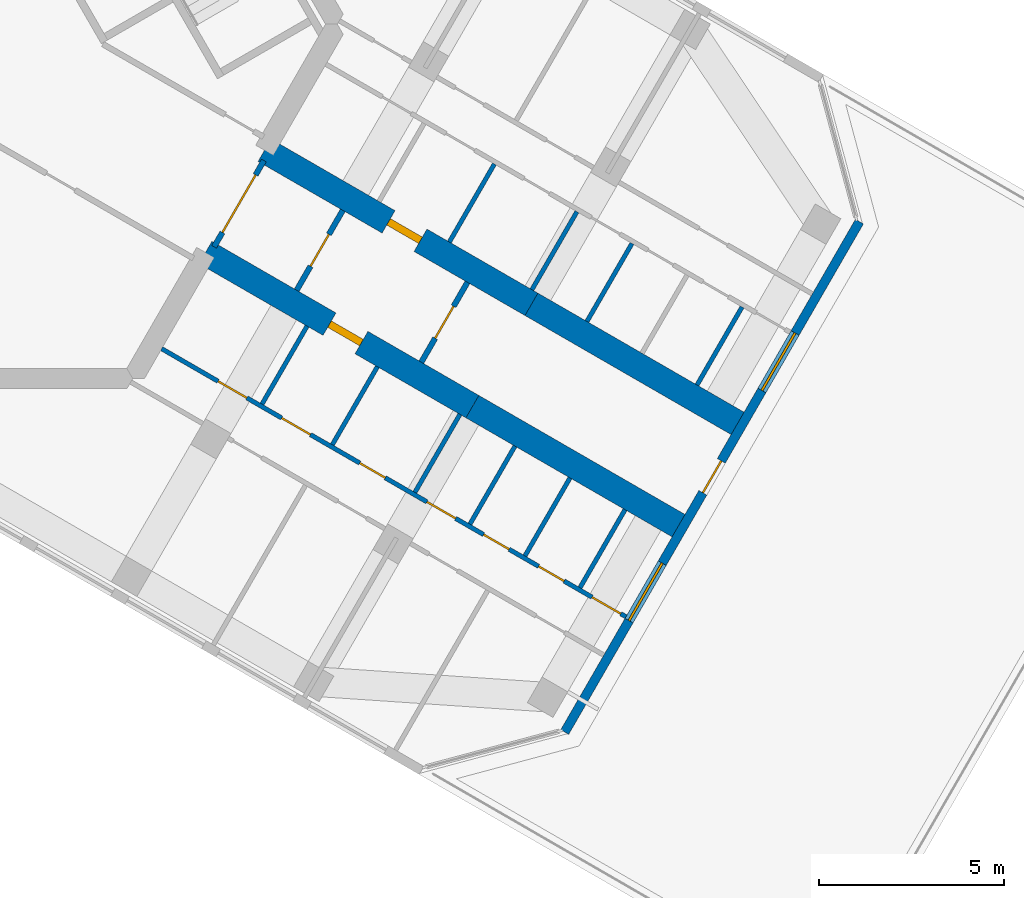
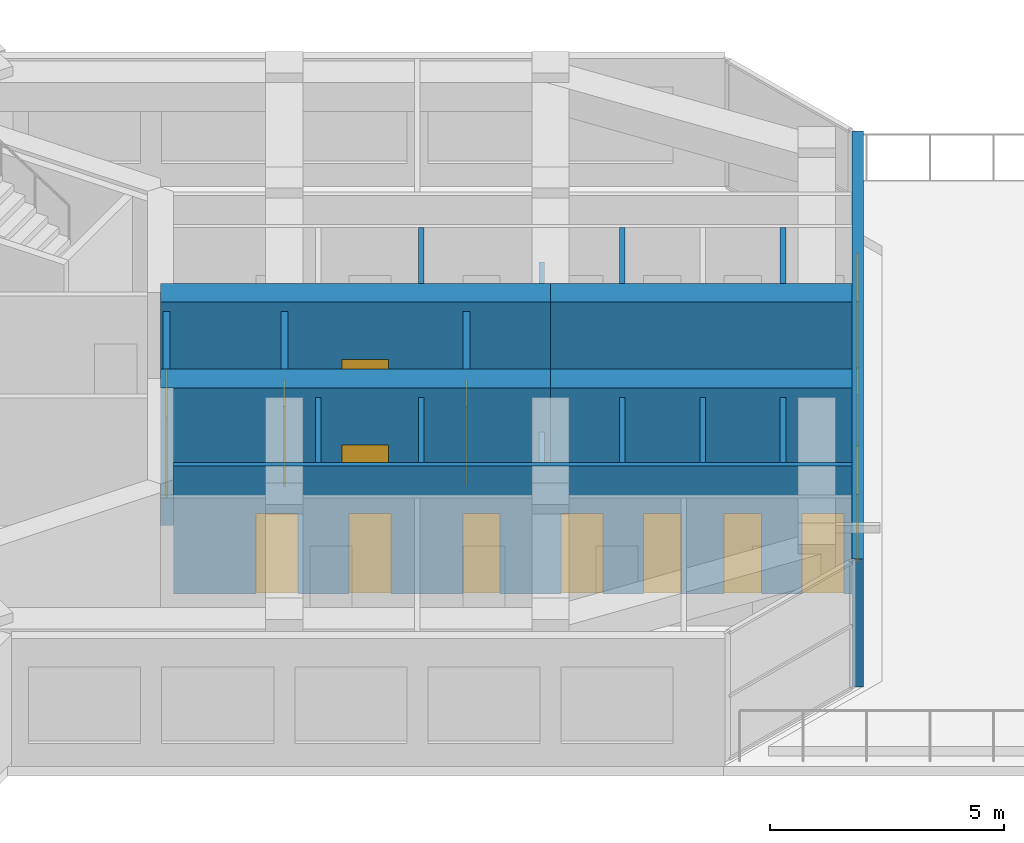
# One storey, part 10 of 14: 19 walls, 13 doors, 2 windows, 15 openings.
"""IFC4 building model written with IfcOpenShell, lengths in metres."""

from ifc_helpers import new_model, si_unit, direction, frame, frame_2d, origin, place, context, subcontext, project, spatial, rectangle, extrude, material, layer, layer_set, type_object, element, fill, save


model = new_model("IFC4")

# Units and contexts
model_context = context("Model", 3, precision=1e-05, world=origin(), true_north=direction((0.0, 1.0)))
body_context = subcontext(model_context, "Body", "Model", "MODEL_VIEW")
ifc_project = project(units=[si_unit("LENGTHUNIT", "METRE"), si_unit("AREAUNIT", "SQUARE_METRE"), si_unit("VOLUMEUNIT", "CUBIC_METRE"), si_unit("PLANEANGLEUNIT", "RADIAN"), si_unit("MASSUNIT", "GRAM", prefix="KILO")], contexts=[model_context])

# Site, building, storey
site_placement = place(None, origin())
site = spatial("IfcSite", under=ifc_project, at=site_placement, CompositionType="ELEMENT")
building_placement = place(site_placement, origin())
building = spatial("IfcBuilding", under=site, at=building_placement, Name="Kosmar Iwan School Tower", CompositionType="ELEMENT")
storey_placement = place(building_placement, frame((0.0, 0.0, 267.39990234375)))
storey = spatial("IfcBuildingStorey", under=building, at=storey_placement, Name="L67", CompositionType="ELEMENT", Elevation=267.39990234375)

# Wall, opening, door
ifc_material_1 = material(Name="Concrete C50/60", Category="concrete")
ifc_layer_1 = layer(ifc_material_1, 0.699951171875)
ifc_layer_set_1 = layer_set([ifc_layer_1], Name="Corridor buttress wall 700")
wall_type_1 = type_object("IfcWallType", Name="Corridor buttress wall 700", PredefinedType="SHEAR", material=ifc_layer_set_1)
wall_1_placement = place(storey_placement, frame((9.11376953125, -3.414306640625, 0.0), z_axis=(0.0, 0.0, 1.0), x_axis=(0.866026859388, -0.499997478812, 0.0)))
wall_1 = element("IfcWall", 1, at=wall_1_placement, inside=storey, type_object=wall_type_1, Name="Corridor wall CL", PredefinedType="SHEAR", context=body_context, shape_type="SweptSolid", body=[
    extrude(rectangle(XDim=8.35009765625, YDim=0.699951171875, at=frame_2d((4.175048828125, 0.0))), origin(), (0.0, 0.0, 1.0), 3.60009765625),
])
opening_1_placement = place(wall_1_placement, frame((3.8798828125, 0.0, 0.0)))
opening_1 = element("IfcOpeningElement", 2, at=opening_1_placement, cuts=wall_1, Name="Opening D1", PredefinedType="OPENING", context=body_context, shape_type="SweptSolid", body=[
    extrude(rectangle(XDim=1.0, YDim=2.10009765625, at=frame_2d((0.5, 1.050048828125))), frame((0.0, 0.362060546875, 0.0), z_axis=(0.0, -1.0, 0.0), x_axis=(1.0, 0.0, 0.0)), (0.0, 0.0, 1.0), 0.723876953125),
])
ifc_material_2 = material(Name="Timber fire door in steel frame", Category="steel")
door_type_1 = type_object("IfcDoorType", Name="Flat entrance door 1000x2100", OperationType="SINGLE_SWING_LEFT", PredefinedType="DOOR", material=ifc_material_2)
door_1_placement = place(opening_1_placement, origin())
door_1 = element("IfcDoor", 3, at=door_1_placement, inside=storey, type_object=door_type_1, Name="Flat L67-CL1 entrance door", OperationType="SINGLE_SWING_LEFT", OverallHeight=2.10009765625, OverallWidth=1.0, PredefinedType="DOOR", context=body_context, shape_type="SweptSolid", body=[
    extrude(rectangle(XDim=1.0, YDim=2.10009765625, at=frame_2d((0.5, 1.050048828125))), frame((0.0, 0.10009765625, 0.0), z_axis=(0.0, -1.0, 0.0), x_axis=(1.0, 0.0, 0.0)), (0.0, 0.0, 1.0), 0.199951171875),
])
fill(opening_1, door_1)

# Wall
wall_2_placement = place(storey_placement, frame((16.34521484375, -7.58935546875, 0.0), z_axis=(0.0, 0.0, 1.0), x_axis=(0.866012238917, -0.500022801525, 0.0)))
element("IfcWall", 4, at=wall_2_placement, inside=storey, type_object=wall_type_1, Name="Corridor wall CL bay 2", PredefinedType="SHEAR", context=body_context, shape_type="SweptSolid", body=[
    extrude(rectangle(XDim=6.449951171875, YDim=0.699951171875, at=frame_2d((3.22509765625, 0.0))), origin(), (0.0, 0.0, 1.0), 3.60009765625),
])

# Wall, opening, door
wall_3_placement = place(storey_placement, frame((7.513916015625, -6.185546875, 0.0), z_axis=(0.0, 0.0, 1.0), x_axis=(0.866019549707, -0.500010139422, 0.0)))
wall_3 = element("IfcWall", 5, at=wall_3_placement, inside=storey, type_object=wall_type_1, Name="Corridor wall CR", PredefinedType="SHEAR", context=body_context, shape_type="SweptSolid", body=[
    extrude(rectangle(XDim=8.349853515625, YDim=0.699951171875, at=frame_2d((4.1748046875, 0.0))), origin(), (0.0, 0.0, 1.0), 3.60009765625),
])
opening_2_placement = place(wall_3_placement, frame((3.8798828125, 0.0, 0.0)))
opening_2 = element("IfcOpeningElement", 6, at=opening_2_placement, cuts=wall_3, Name="Opening D1", PredefinedType="OPENING", context=body_context, shape_type="SweptSolid", body=[
    extrude(rectangle(XDim=1.0, YDim=2.10009765625, at=frame_2d((0.5, 1.050048828125))), frame((0.0, 0.362060546875, 0.0), z_axis=(0.0, -1.0, 0.0), x_axis=(1.0, 0.0, 0.0)), (0.0, 0.0, 1.0), 0.723876953125),
])
door_2_placement = place(opening_2_placement, origin())
door_2 = element("IfcDoor", 7, at=door_2_placement, inside=storey, type_object=door_type_1, Name="Flat L67-CR1 entrance door", OperationType="SINGLE_SWING_LEFT", OverallHeight=2.10009765625, OverallWidth=1.0, PredefinedType="DOOR", context=body_context, shape_type="SweptSolid", body=[
    extrude(rectangle(XDim=1.0, YDim=2.10009765625, at=frame_2d((0.5, 1.050048828125))), frame((0.0, 0.10009765625, 0.0), z_axis=(0.0, -1.0, 0.0), x_axis=(1.0, 0.0, 0.0)), (0.0, 0.0, 1.0), 0.199951171875),
])
fill(opening_2, door_2)

# Wall
wall_4_placement = place(storey_placement, frame((14.7451171875, -10.360595703125, 0.0), z_axis=(0.0, 0.0, 1.0), x_axis=(0.866021702275, -0.500006411147, 0.0)))
element("IfcWall", 8, at=wall_4_placement, inside=storey, type_object=wall_type_1, Name="Corridor wall CR bay 2", PredefinedType="SHEAR", context=body_context, shape_type="SweptSolid", body=[
    extrude(rectangle(XDim=6.4501953125, YDim=0.699951171875, at=frame_2d((3.22509765625, 0.0))), origin(), (0.0, 0.0, 1.0), 3.60009765625),
])

# Wall, opening, door
ifc_material_3 = material(Name="Gypsum board on steel studs, fire-rated", Category="steel")
ifc_layer_2 = layer(ifc_material_3, 0.14990234375)
ifc_layer_set_2 = layer_set([ifc_layer_2], Name="Corridor end wall 150")
wall_type_2 = type_object("IfcWallType", Name="Corridor end wall 150", PredefinedType="PARTITIONING", material=ifc_layer_set_2)
wall_5_placement = place(storey_placement, frame((13.361328125, -9.157470703125, 0.0), z_axis=(0.0, 0.0, 1.0), x_axis=(0.500004234368, 0.866022959057, 0.0)))
wall_5 = element("IfcWall", 9, at=wall_5_placement, inside=storey, type_object=wall_type_2, Name="Partition L67-C-CE", PredefinedType="PARTITIONING", context=body_context, shape_type="SweptSolid", body=[
    extrude(rectangle(XDim=2.5, YDim=0.14990234375, at=frame_2d((1.25, 0.0))), origin(), (0.0, 0.0, 1.0), 3.35009765625),
])
opening_3_placement = place(wall_5_placement, frame((0.75, 0.0, 0.0)))
opening_3 = element("IfcOpeningElement", 10, at=opening_3_placement, cuts=wall_5, Name="Opening D13", PredefinedType="OPENING", context=body_context, shape_type="SweptSolid", body=[
    extrude(rectangle(XDim=1.0, YDim=2.10009765625, at=frame_2d((0.5, 1.050048828125))), frame((0.0, 0.0869140625, 0.0), z_axis=(0.0, -1.0, 0.0), x_axis=(1.0, 0.0, 0.0)), (0.0, 0.0, 1.0), 0.173828125),
])
ifc_material_4 = material(Name="Timber fire door with vision panel", Category="wood")
door_type_2 = type_object("IfcDoorType", Name="Corridor end door 1000x2100", OperationType="SINGLE_SWING_LEFT", PredefinedType="DOOR", material=ifc_material_4)
door_3_placement = place(opening_3_placement, origin())
door_3 = element("IfcDoor", 11, at=door_3_placement, inside=storey, type_object=door_type_2, Name="Roof plant room door L67-C", OperationType="SINGLE_SWING_RIGHT", OverallHeight=2.10009765625, OverallWidth=1.0, PredefinedType="DOOR", context=body_context, shape_type="SweptSolid", body=[
    extrude(rectangle(XDim=1.0, YDim=2.10009765625, at=frame_2d((0.5, 1.050048828125))), frame((0.0, 0.02490234375, 0.0), z_axis=(0.0, -1.0, 0.0), x_axis=(1.0, 0.0, 0.0)), (0.0, 0.0, 1.0), 0.050048828125),
])
fill(opening_3, door_3)

wall_6_placement = place(storey_placement, frame((9.98388671875, -7.20751953125, 0.0), z_axis=(0.0, 0.0, 1.0), x_axis=(0.500004234368, 0.866022959057, 0.0)))
wall_6 = element("IfcWall", 12, at=wall_6_placement, inside=storey, type_object=wall_type_2, Name="Partition L67-C-HW", PredefinedType="PARTITIONING", context=body_context, shape_type="SweptSolid", body=[
    extrude(rectangle(XDim=2.5, YDim=0.14990234375, at=frame_2d((1.25, 0.0))), origin(), (0.0, 0.0, 1.0), 3.35009765625),
])
opening_4_placement = place(wall_6_placement, frame((0.75, 0.0, 0.0)))
opening_4 = element("IfcOpeningElement", 13, at=opening_4_placement, cuts=wall_6, Name="Opening D13", PredefinedType="OPENING", context=body_context, shape_type="SweptSolid", body=[
    extrude(rectangle(XDim=1.0, YDim=2.10009765625, at=frame_2d((0.5, 1.050048828125))), frame((0.0, 0.0869140625, 0.0), z_axis=(0.0, -1.0, 0.0), x_axis=(1.0, 0.0, 0.0)), (0.0, 0.0, 1.0), 0.173828125),
])
door_4_placement = place(opening_4_placement, origin())
door_4 = element("IfcDoor", 14, at=door_4_placement, inside=storey, type_object=door_type_2, Name="Entrance door L67-C", OperationType="SINGLE_SWING_LEFT", OverallHeight=2.10009765625, OverallWidth=1.0, PredefinedType="DOOR", context=body_context, shape_type="SweptSolid", body=[
    extrude(rectangle(XDim=1.0, YDim=2.10009765625, at=frame_2d((0.5, 1.050048828125))), frame((0.0, 0.02490234375, 0.0), z_axis=(0.0, -1.0, 0.0), x_axis=(1.0, 0.0, 0.0)), (0.0, 0.0, 1.0), 0.050048828125),
])
fill(opening_4, door_4)

ifc_material_5 = material(Name="Steel framed glazed screen", Category="steel")
ifc_layer_3 = layer(ifc_material_5, 0.14990234375)
ifc_layer_set_3 = layer_set([ifc_layer_3], Name="Corridor screen wall 150")
wall_type_3 = type_object("IfcWallType", Name="Corridor screen wall 150", PredefinedType="PARTITIONING", material=ifc_layer_set_3)
wall_7_placement = place(storey_placement, frame((7.7470703125, -6.03173828125, 0.0), z_axis=(0.0, 0.0, 1.0), x_axis=(0.50000943426, 0.866019956843, 0.0)))
wall_7 = element("IfcWall", 15, at=wall_7_placement, inside=storey, type_object=wall_type_3, Name="Corridor screen C L67", PredefinedType="PARTITIONING", context=body_context, shape_type="SweptSolid", body=[
    extrude(rectangle(XDim=2.7001953125, YDim=0.14990234375, at=frame_2d((1.35009765625, 0.0))), origin(), (0.0, 0.0, 1.0), 3.35009765625),
])
opening_5_placement = place(wall_7_placement, frame((0.449951171875, 0.0, 0.0)))
opening_5 = element("IfcOpeningElement", 16, at=opening_5_placement, cuts=wall_7, Name="Opening D9", PredefinedType="OPENING", context=body_context, shape_type="SweptSolid", body=[
    extrude(rectangle(XDim=1.800048828125, YDim=2.10009765625, at=frame_2d((0.89990234375, 1.050048828125))), frame((0.0, 0.0869140625, 0.0), z_axis=(0.0, -1.0, 0.0), x_axis=(1.0, 0.0, 0.0)), (0.0, 0.0, 1.0), 0.173828125),
])
ifc_material_6 = material(Name="Steel framed glazed smoke door", Category="steel")
door_type_3 = type_object("IfcDoorType", Name="Corridor smoke door pair 1800x2100", OperationType="DOUBLE_DOOR_DOUBLE_SWING", PredefinedType="DOOR", material=ifc_material_6)
door_5_placement = place(opening_5_placement, origin())
door_5 = element("IfcDoor", 17, at=door_5_placement, inside=storey, type_object=door_type_3, Name="Corridor doors C L67", OperationType="DOUBLE_DOOR_DOUBLE_SWING", OverallHeight=2.10009765625, OverallWidth=1.800048828125, PredefinedType="DOOR", context=body_context, shape_type="SweptSolid", body=[
    extrude(rectangle(XDim=1.800048828125, YDim=2.10009765625, at=frame_2d((0.89990234375, 1.050048828125))), frame((0.0, 0.02490234375, 0.0), z_axis=(0.0, -1.0, 0.0), x_axis=(1.0, 0.0, 0.0)), (0.0, 0.0, 1.0), 0.050048828125),
])
fill(opening_5, door_5)

# Walls
ifc_material_7 = material(Name="Gypsum board on steel studs", Category="steel")
ifc_layer_4 = layer(ifc_material_7, 0.1201171875)
ifc_layer_set_4 = layer_set([ifc_layer_4], Name="Dwelling partition 120")
wall_type_4 = type_object("IfcWallType", Name="Dwelling partition 120", PredefinedType="PARTITIONING", material=ifc_layer_set_4)
wall_8_placement = place(storey_placement, frame((14.121337890625, -5.9013671875, 0.0), z_axis=(0.0, 0.0, 1.0), x_axis=(0.499959183527, 0.866048967903, 0.0)))
element("IfcWall", 18, at=wall_8_placement, inside=storey, type_object=wall_type_4, Name="Partition L67-CL1-Y2", PredefinedType="PARTITIONING", context=body_context, shape_type="SweptSolid", body=[
    extrude(rectangle(XDim=2.440185546875, YDim=0.1201171875, at=frame_2d((1.22021484375, 0.0))), origin(), (0.0, 0.0, 1.0), 3.35009765625),
])
wall_9_placement = place(storey_placement, frame((16.35791015625, -7.192626953125, 0.0), z_axis=(0.0, 0.0, 1.0), x_axis=(0.500002508028, 0.866023955769, 0.0)))
element("IfcWall", 19, at=wall_9_placement, inside=storey, type_object=wall_type_4, Name="Partition L67-CL1-Y3", PredefinedType="PARTITIONING", context=body_context, shape_type="SweptSolid", body=[
    extrude(rectangle(XDim=2.43994140625, YDim=0.1201171875, at=frame_2d((1.219970703125, 0.0))), origin(), (0.0, 0.0, 1.0), 2.4501953125),
])
wall_10_placement = place(storey_placement, frame((17.84912109375, -8.053466796875, 0.0), z_axis=(0.0, 0.0, 1.0), x_axis=(0.500002508028, 0.866023955769, 0.0)))
element("IfcWall", 20, at=wall_10_placement, inside=storey, type_object=wall_type_4, Name="Partition L67-CL1-Y4", PredefinedType="PARTITIONING", context=body_context, shape_type="SweptSolid", body=[
    extrude(rectangle(XDim=2.43994140625, YDim=0.1201171875, at=frame_2d((1.219970703125, 0.0))), origin(), (0.0, 0.0, 1.0), 3.35009765625),
])
wall_11_placement = place(storey_placement, frame((20.831298828125, -9.775390625, 0.0), z_axis=(0.0, 0.0, 1.0), x_axis=(0.500034220881, 0.866005645448, 0.0)))
element("IfcWall", 21, at=wall_11_placement, inside=storey, type_object=wall_type_4, Name="Partition L67-CL1-Y6", PredefinedType="PARTITIONING", context=body_context, shape_type="SweptSolid", body=[
    extrude(rectangle(XDim=2.440185546875, YDim=0.1201171875, at=frame_2d((1.22021484375, 0.0))), origin(), (0.0, 0.0, 1.0), 3.35009765625),
])

# Wall, openings, doors
wall_12_placement = place(storey_placement, frame((6.326904296875, -8.791259765625, 0.0), z_axis=(0.0, 0.0, 1.0), x_axis=(0.866028280617, -0.499995017147, 0.0)))
wall_12 = element("IfcWall", 22, at=wall_12_placement, inside=storey, type_object=wall_type_4, Name="Partition L67-CR1-W1", PredefinedType="PARTITIONING", context=body_context, shape_type="SweptSolid", body=[
    extrude(rectangle(XDim=14.525146484375, YDim=0.1201171875, at=frame_2d((7.2626953125, 0.0))), origin(), (0.0, 0.0, 1.0), 3.35009765625),
])
opening_6_placement = place(wall_12_placement, frame((1.764892578125, 0.0, 0.0)))
opening_6 = element("IfcOpeningElement", 23, at=opening_6_placement, cuts=wall_12, Name="Opening D2", PredefinedType="OPENING", context=body_context, shape_type="SweptSolid", body=[
    extrude(rectangle(XDim=0.89990234375, YDim=2.10009765625, at=frame_2d((0.449951171875, 1.050048828125))), frame((0.0, 0.072021484375, 0.0), z_axis=(0.0, -1.0, 0.0), x_axis=(1.0, 0.0, 0.0)), (0.0, 0.0, 1.0), 0.14404296875),
])
opening_7_placement = place(wall_12_placement, frame((3.755126953125, 0.0, 0.0)))
opening_7 = element("IfcOpeningElement", 24, at=opening_7_placement, cuts=wall_12, Name="Opening D2", PredefinedType="OPENING", context=body_context, shape_type="SweptSolid", body=[
    extrude(rectangle(XDim=0.89990234375, YDim=2.10009765625, at=frame_2d((0.449951171875, 1.050048828125))), frame((0.0, 0.072021484375, 0.0), z_axis=(0.0, -1.0, 0.0), x_axis=(1.0, 0.0, 0.0)), (0.0, 0.0, 1.0), 0.14404296875),
])
opening_8_placement = place(wall_12_placement, frame((6.1962890625, 0.0, 0.0)))
opening_8 = element("IfcOpeningElement", 25, at=opening_8_placement, cuts=wall_12, Name="Opening D3", PredefinedType="OPENING", context=body_context, shape_type="SweptSolid", body=[
    extrude(rectangle(XDim=0.800048828125, YDim=2.10009765625, at=frame_2d((0.39990234375, 1.050048828125))), frame((0.0, 0.072021484375, 0.0), z_axis=(0.0, -1.0, 0.0), x_axis=(1.0, 0.0, 0.0)), (0.0, 0.0, 1.0), 0.14404296875),
])
opening_9_placement = place(wall_12_placement, frame((8.298583984375, 0.0, 0.0)))
opening_9 = element("IfcOpeningElement", 26, at=opening_9_placement, cuts=wall_12, Name="Opening D2", PredefinedType="OPENING", context=body_context, shape_type="SweptSolid", body=[
    extrude(rectangle(XDim=0.89990234375, YDim=2.10009765625, at=frame_2d((0.449951171875, 1.050048828125))), frame((0.0, 0.072021484375, 0.0), z_axis=(0.0, -1.0, 0.0), x_axis=(1.0, 0.0, 0.0)), (0.0, 0.0, 1.0), 0.14404296875),
])
opening_10_placement = place(wall_12_placement, frame((10.070556640625, 0.0, 0.0)))
opening_10 = element("IfcOpeningElement", 27, at=opening_10_placement, cuts=wall_12, Name="Opening D3", PredefinedType="OPENING", context=body_context, shape_type="SweptSolid", body=[
    extrude(rectangle(XDim=0.800048828125, YDim=2.10009765625, at=frame_2d((0.39990234375, 1.050048828125))), frame((0.0, 0.072021484375, 0.0), z_axis=(0.0, -1.0, 0.0), x_axis=(1.0, 0.0, 0.0)), (0.0, 0.0, 1.0), 0.14404296875),
])
opening_11_placement = place(wall_12_placement, frame((11.792236328125, 0.0, 0.0)))
opening_11 = element("IfcOpeningElement", 28, at=opening_11_placement, cuts=wall_12, Name="Opening D3", PredefinedType="OPENING", context=body_context, shape_type="SweptSolid", body=[
    extrude(rectangle(XDim=0.800048828125, YDim=2.10009765625, at=frame_2d((0.39990234375, 1.050048828125))), frame((0.0, 0.072021484375, 0.0), z_axis=(0.0, -1.0, 0.0), x_axis=(1.0, 0.0, 0.0)), (0.0, 0.0, 1.0), 0.14404296875),
])
opening_12_placement = place(wall_12_placement, frame((13.464111328125, 0.0, 0.0)))
opening_12 = element("IfcOpeningElement", 29, at=opening_12_placement, cuts=wall_12, Name="Opening D2", PredefinedType="OPENING", context=body_context, shape_type="SweptSolid", body=[
    extrude(rectangle(XDim=0.89990234375, YDim=2.10009765625, at=frame_2d((0.449951171875, 1.050048828125))), frame((0.0, 0.072021484375, 0.0), z_axis=(0.0, -1.0, 0.0), x_axis=(1.0, 0.0, 0.0)), (0.0, 0.0, 1.0), 0.14404296875),
])
ifc_material_8 = material(Name="Timber door in timber frame", Category="wood")
door_type_4 = type_object("IfcDoorType", Name="Internal door 900x2100", OperationType="SINGLE_SWING_LEFT", PredefinedType="DOOR", material=ifc_material_8)
door_6_placement = place(opening_6_placement, origin())
door_6 = element("IfcDoor", 30, at=door_6_placement, inside=storey, type_object=door_type_4, Name="Utility room door L67-CR1-S1", OperationType="SINGLE_SWING_RIGHT", OverallHeight=2.10009765625, OverallWidth=0.89990234375, PredefinedType="DOOR", context=body_context, shape_type="SweptSolid", body=[
    extrude(rectangle(XDim=0.89990234375, YDim=2.10009765625, at=frame_2d((0.449951171875, 1.050048828125))), frame((0.0, 0.02490234375, 0.0), z_axis=(0.0, -1.0, 0.0), x_axis=(1.0, 0.0, 0.0)), (0.0, 0.0, 1.0), 0.050048828125),
])
fill(opening_6, door_6)
door_7_placement = place(opening_7_placement, origin())
door_7 = element("IfcDoor", 31, at=door_7_placement, inside=storey, type_object=door_type_4, Name="Entrance hall door L67-CR1-S2", OperationType="SINGLE_SWING_LEFT", OverallHeight=2.10009765625, OverallWidth=0.89990234375, PredefinedType="DOOR", context=body_context, shape_type="SweptSolid", body=[
    extrude(rectangle(XDim=0.89990234375, YDim=2.10009765625, at=frame_2d((0.449951171875, 1.050048828125))), frame((0.0, 0.02490234375, 0.0), z_axis=(0.0, -1.0, 0.0), x_axis=(1.0, 0.0, 0.0)), (0.0, 0.0, 1.0), 0.050048828125),
])
fill(opening_7, door_7)
door_8_placement = place(opening_9_placement, origin())
door_8 = element("IfcDoor", 32, at=door_8_placement, inside=storey, type_object=door_type_4, Name="Pantry door L67-CR1-S4", OperationType="SINGLE_SWING_LEFT", OverallHeight=2.10009765625, OverallWidth=0.89990234375, PredefinedType="DOOR", context=body_context, shape_type="SweptSolid", body=[
    extrude(rectangle(XDim=0.89990234375, YDim=2.10009765625, at=frame_2d((0.449951171875, 1.050048828125))), frame((0.0, 0.02490234375, 0.0), z_axis=(0.0, -1.0, 0.0), x_axis=(1.0, 0.0, 0.0)), (0.0, 0.0, 1.0), 0.050048828125),
])
fill(opening_9, door_8)
door_9_placement = place(opening_12_placement, origin())
door_9 = element("IfcDoor", 33, at=door_9_placement, inside=storey, type_object=door_type_4, Name="Dressing room door L67-CR1-S7", OperationType="SINGLE_SWING_RIGHT", OverallHeight=2.10009765625, OverallWidth=0.89990234375, PredefinedType="DOOR", context=body_context, shape_type="SweptSolid", body=[
    extrude(rectangle(XDim=0.89990234375, YDim=2.10009765625, at=frame_2d((0.449951171875, 1.050048828125))), frame((0.0, 0.02490234375, 0.0), z_axis=(0.0, -1.0, 0.0), x_axis=(1.0, 0.0, 0.0)), (0.0, 0.0, 1.0), 0.050048828125),
])
fill(opening_12, door_9)
ifc_material_9 = material(Name="Timber door in timber frame", Category="wood")
door_type_5 = type_object("IfcDoorType", Name="Sanitary room door 800x2100", OperationType="SINGLE_SWING_LEFT", PredefinedType="DOOR", material=ifc_material_9)
door_10_placement = place(opening_8_placement, origin())
door_10 = element("IfcDoor", 34, at=door_10_placement, inside=storey, type_object=door_type_5, Name="Bathroom door L67-CR1-S3", OperationType="SINGLE_SWING_RIGHT", OverallHeight=2.10009765625, OverallWidth=0.800048828125, PredefinedType="DOOR", context=body_context, shape_type="SweptSolid", body=[
    extrude(rectangle(XDim=0.800048828125, YDim=2.10009765625, at=frame_2d((0.39990234375, 1.050048828125))), frame((0.0, 0.02490234375, 0.0), z_axis=(0.0, -1.0, 0.0), x_axis=(1.0, 0.0, 0.0)), (0.0, 0.0, 1.0), 0.050048828125),
])
fill(opening_8, door_10)
door_11_placement = place(opening_10_placement, origin())
door_11 = element("IfcDoor", 35, at=door_11_placement, inside=storey, type_object=door_type_5, Name="WC door L67-CR1-S5", OperationType="SINGLE_SWING_RIGHT", OverallHeight=2.10009765625, OverallWidth=0.800048828125, PredefinedType="DOOR", context=body_context, shape_type="SweptSolid", body=[
    extrude(rectangle(XDim=0.800048828125, YDim=2.10009765625, at=frame_2d((0.39990234375, 1.050048828125))), frame((0.0, 0.02490234375, 0.0), z_axis=(0.0, -1.0, 0.0), x_axis=(1.0, 0.0, 0.0)), (0.0, 0.0, 1.0), 0.050048828125),
])
fill(opening_10, door_11)
door_12_placement = place(opening_11_placement, origin())
door_12 = element("IfcDoor", 36, at=door_12_placement, inside=storey, type_object=door_type_5, Name="Store door L67-CR1-S6", OperationType="SINGLE_SWING_LEFT", OverallHeight=2.10009765625, OverallWidth=0.800048828125, PredefinedType="DOOR", context=body_context, shape_type="SweptSolid", body=[
    extrude(rectangle(XDim=0.800048828125, YDim=2.10009765625, at=frame_2d((0.39990234375, 1.050048828125))), frame((0.0, 0.02490234375, 0.0), z_axis=(0.0, -1.0, 0.0), x_axis=(1.0, 0.0, 0.0)), (0.0, 0.0, 1.0), 0.050048828125),
])
fill(opening_11, door_12)

# Walls
for number, where, z_axis, x_axis, name in (
    (37, (10.26611328125, -8.1787109375, 0.0), (0.0, 0.0, 1.0), (-0.500077547548, -0.865980627057, 0.0), "Partition L67-CR1-Y1"),
    (38, (12.17138671875, -9.27880859375, 0.0), (0.0, 0.0, 1.0), (-0.500077547548, -0.865980627057, 0.0), "Partition L67-CR1-Y2"),
):
    element("IfcWall", number, at=place(storey_placement, frame(where, z_axis=z_axis, x_axis=x_axis)), inside=storey, type_object=wall_type_4, Name=name, PredefinedType="PARTITIONING", context=body_context, shape_type="SweptSolid", body=[
        extrude(rectangle(XDim=2.43994140625, YDim=0.1201171875, at=frame_2d((1.219970703125, 0.0))), origin(), (0.0, 0.0, 1.0), 3.35009765625),
    ])
wall_13_placement = place(storey_placement, frame((14.407958984375, -10.570068359375, 0.0), z_axis=(0.0, 0.0, 1.0), x_axis=(-0.500002508028, -0.866023955769, 0.0)))
element("IfcWall", 39, at=wall_13_placement, inside=storey, type_object=wall_type_4, Name="Partition L67-CR1-Y3", PredefinedType="PARTITIONING", context=body_context, shape_type="SweptSolid", body=[
    extrude(rectangle(XDim=2.43994140625, YDim=0.1201171875, at=frame_2d((1.219970703125, 0.0))), origin(), (0.0, 0.0, 1.0), 2.4501953125),
])
wall_14_placement = place(storey_placement, frame((15.899169921875, -11.430908203125, 0.0), z_axis=(0.0, 0.0, 1.0), x_axis=(-0.499959183527, -0.866048967903, 0.0)))
element("IfcWall", 40, at=wall_14_placement, inside=storey, type_object=wall_type_4, Name="Partition L67-CR1-Y4", PredefinedType="PARTITIONING", context=body_context, shape_type="SweptSolid", body=[
    extrude(rectangle(XDim=2.440185546875, YDim=0.1201171875, at=frame_2d((1.22021484375, 0.0))), origin(), (0.0, 0.0, 1.0), 3.35009765625),
])
for number, where, z_axis, x_axis, name in (
    (41, (17.39013671875, -12.2919921875, 0.0), (0.0, 0.0, 1.0), (-0.500002508028, -0.866023955769, 0.0), "Partition L67-CR1-Y5"),
    (42, (18.88134765625, -13.15283203125, 0.0), (0.0, 0.0, 1.0), (-0.500002508028, -0.866023955769, 0.0), "Partition L67-CR1-Y6"),
):
    element("IfcWall", number, at=place(storey_placement, frame(where, z_axis=z_axis, x_axis=x_axis)), inside=storey, type_object=wall_type_4, Name=name, PredefinedType="PARTITIONING", context=body_context, shape_type="SweptSolid", body=[
        extrude(rectangle(XDim=2.43994140625, YDim=0.1201171875, at=frame_2d((1.219970703125, 0.0))), origin(), (0.0, 0.0, 1.0), 3.35009765625),
    ])

# Wall, openings, door, windows
ifc_material_10 = material(Name="Black steel framed fire-resisting glazed screen", Category="steel")
ifc_layer_5 = layer(ifc_material_10, 0.25)
ifc_layer_set_5 = layer_set([ifc_layer_5], Name="Fire-resisting terrace screen wall 250")
wall_type_5 = type_object("IfcWallType", Name="Fire-resisting terrace screen wall 250", PredefinedType="SOLIDWALL", material=ifc_layer_set_5)
wall_15_placement = place(storey_placement, frame((17.24658203125, -19.177978515625, 0.0), z_axis=(0.0, 0.0, 1.0), x_axis=(0.499999455981, 0.866025717874, 0.0)))
wall_15 = element("IfcWall", 43, at=wall_15_placement, inside=storey, type_object=wall_type_5, Name="Terrace screen L67 L67-F03", PredefinedType="SOLIDWALL", context=body_context, shape_type="SweptSolid", body=[
    extrude(rectangle(XDim=15.970703125, YDim=0.25, at=frame_2d((7.9853515625, 0.0))), origin(), (0.0, 0.0, 1.0), 3.35009765625),
])
opening_13_placement = place(wall_15_placement, frame((7.4853515625, 0.0, 0.0)))
opening_13 = element("IfcOpeningElement", 44, at=opening_13_placement, cuts=wall_15, Name="Opening D15", PredefinedType="OPENING", context=body_context, shape_type="SweptSolid", body=[
    extrude(rectangle(XDim=1.0, YDim=2.39990234375, at=frame_2d((0.5, 1.199951171875))), frame((0.0, 0.136962890625, 0.0), z_axis=(0.0, -1.0, 0.0), x_axis=(1.0, 0.0, 0.0)), (0.0, 0.0, 1.0), 0.27392578125),
])
opening_14_placement = place(wall_15_placement, frame((3.4853515625, 0.0, 0.800048828125)))
opening_14 = element("IfcOpeningElement", 45, at=opening_14_placement, cuts=wall_15, Name="Opening W1", PredefinedType="OPENING", context=body_context, shape_type="SweptSolid", body=[
    extrude(rectangle(XDim=1.800048828125, YDim=1.800048828125, at=frame_2d((0.89990234375, 0.89990234375))), frame((0.0, 0.136962890625, 0.0), z_axis=(0.0, -1.0, 0.0), x_axis=(1.0, 0.0, 0.0)), (0.0, 0.0, 1.0), 0.27392578125),
])
opening_15_placement = place(wall_15_placement, frame((10.685302734375, 0.0, 0.800048828125)))
opening_15 = element("IfcOpeningElement", 46, at=opening_15_placement, cuts=wall_15, Name="Opening W1", PredefinedType="OPENING", context=body_context, shape_type="SweptSolid", body=[
    extrude(rectangle(XDim=1.800048828125, YDim=1.800048828125, at=frame_2d((0.89990234375, 0.89990234375))), frame((0.0, 0.136962890625, 0.0), z_axis=(0.0, -1.0, 0.0), x_axis=(1.0, 0.0, 0.0)), (0.0, 0.0, 1.0), 0.27392578125),
])
ifc_material_11 = material(Name="Insulated steel door, weather-sealed", Category="steel")
door_type_6 = type_object("IfcDoorType", Name="Maintenance access door 1000x2400", OperationType="SINGLE_SWING_LEFT", PredefinedType="DOOR", material=ifc_material_11)
door_13_placement = place(opening_13_placement, origin())
door_13 = element("IfcDoor", 47, at=door_13_placement, inside=storey, type_object=door_type_6, Name="Maintenance access door C L67", OperationType="SINGLE_SWING_LEFT", OverallHeight=2.39990234375, OverallWidth=1.0, PredefinedType="DOOR", context=body_context, shape_type="SweptSolid", body=[
    extrude(rectangle(XDim=1.0, YDim=2.39990234375, at=frame_2d((0.5, 1.199951171875))), frame((0.0, 0.02490234375, 0.0), z_axis=(0.0, -1.0, 0.0), x_axis=(1.0, 0.0, 0.0)), (0.0, 0.0, 1.0), 0.050048828125),
])
fill(opening_13, door_13)
ifc_material_12 = material(Name="Black aluminium frame with dark triple glazing", Category="aluminium")
window_type = type_object("IfcWindowType", Name="Window 1800x1800", PartitioningType="SINGLE_PANEL", PredefinedType="WINDOW", material=ifc_material_12)
window_1_placement = place(opening_14_placement, origin())
window_1 = element("IfcWindow", 48, at=window_1_placement, inside=storey, type_object=window_type, Name="Window tip C L67", OverallHeight=1.800048828125, OverallWidth=1.800048828125, PartitioningType="SINGLE_PANEL", PredefinedType="WINDOW", context=body_context, shape_type="SweptSolid", body=[
    extrude(rectangle(XDim=1.800048828125, YDim=1.800048828125, at=frame_2d((0.89990234375, 0.89990234375))), frame((0.0, 0.030029296875, 0.0), z_axis=(0.0, -1.0, 0.0), x_axis=(1.0, 0.0, 0.0)), (0.0, 0.0, 1.0), 0.06005859375),
])
fill(opening_14, window_1)
window_2_placement = place(opening_15_placement, origin())
window_2 = element("IfcWindow", 49, at=window_2_placement, inside=storey, type_object=window_type, Name="Window tip C L67", OverallHeight=1.800048828125, OverallWidth=1.800048828125, PartitioningType="SINGLE_PANEL", PredefinedType="WINDOW", context=body_context, shape_type="SweptSolid", body=[
    extrude(rectangle(XDim=1.800048828125, YDim=1.800048828125, at=frame_2d((0.89990234375, 0.89990234375))), frame((0.0, 0.030029296875, 0.0), z_axis=(0.0, -1.0, 0.0), x_axis=(1.0, 0.0, 0.0)), (0.0, 0.0, 1.0), 0.06005859375),
])
fill(opening_15, window_2)

save(model, "model.ifc")
